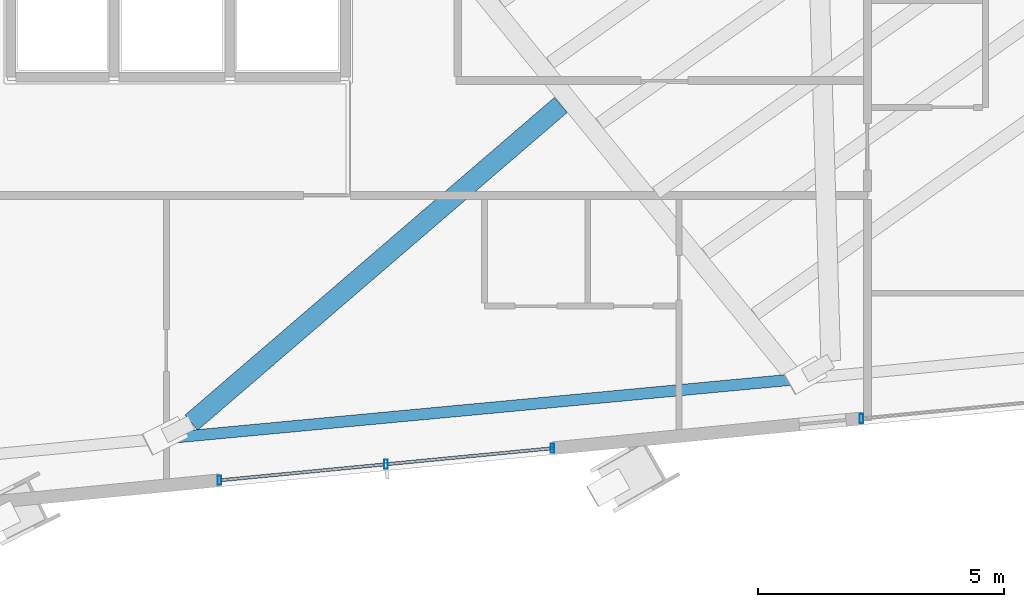
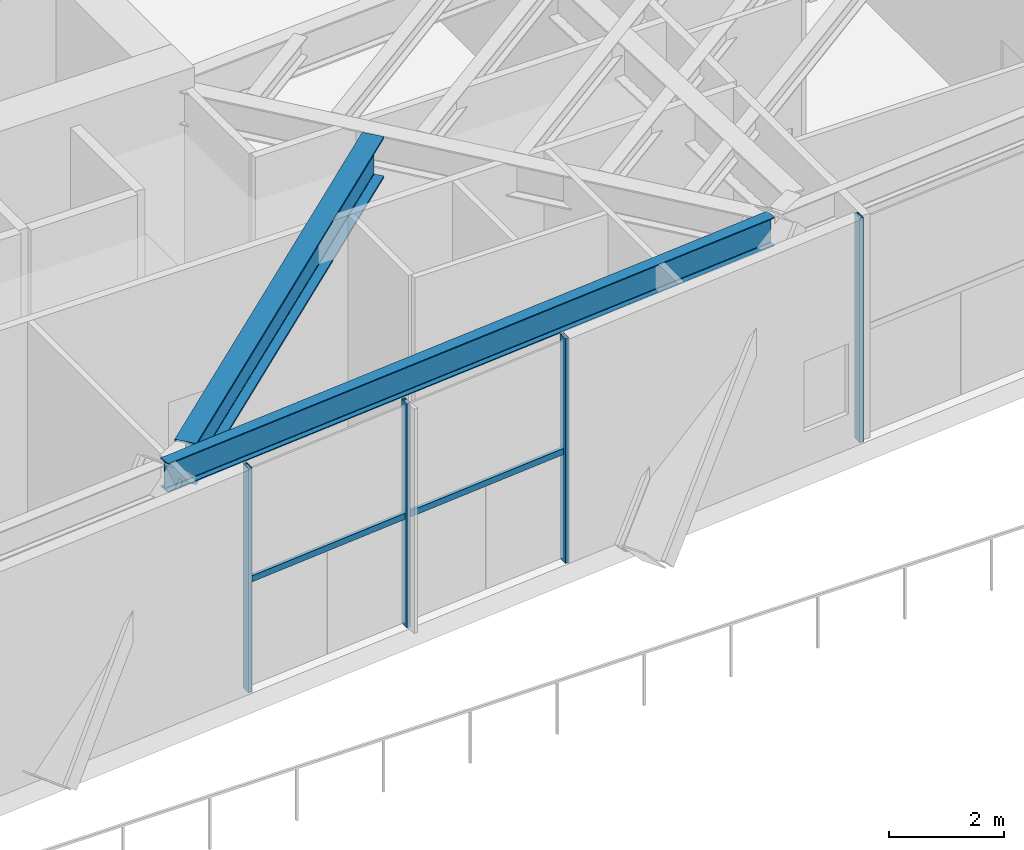
# One storey, part 9 of 28: 6 members, 2 beams, 2 elements without a shape of their own.
"""IFC4 building model written with IfcOpenShell, lengths in metres."""

from ifc_helpers import new_model, si_unit, direction, frame, origin, origin_2d, place, context, subcontext, project, spatial, hollow_rectangle, i_section, extrude, source, transform, mapped, material, material_profile, profile_set, type_object, type_shapes, element, aggregate, save


model = new_model("IFC4")

# Units and contexts
model_context = context("Model", 3, precision=1e-05, world=origin(), true_north=direction((0.0, 1.0)))
body_context = subcontext(model_context, "Body", "Model", "MODEL_VIEW")
ifc_project = project(units=[si_unit("LENGTHUNIT", "METRE"), si_unit("AREAUNIT", "SQUARE_METRE"), si_unit("VOLUMEUNIT", "CUBIC_METRE"), si_unit("PLANEANGLEUNIT", "RADIAN"), si_unit("MASSUNIT", "GRAM", prefix="KILO")], contexts=[model_context])

# Site, building, storey
site_placement = place(None, origin())
site = spatial("IfcSite", under=ifc_project, at=site_placement, CompositionType="ELEMENT")
building_placement = place(site_placement, origin())
building = spatial("IfcBuilding", under=site, at=building_placement, Name="Astriad Promenade Condominiums", CompositionType="ELEMENT")
storey_placement = place(building_placement, frame((0.0, 0.0, 72.60009765625)))
storey = spatial("IfcBuildingStorey", under=building, at=storey_placement, Name="L20", CompositionType="ELEMENT", Elevation=72.60009765625)

# Beams
ifc_material_1 = material(Name="Steel ASTM A992 Grade 50", Category="steel")
ifc_material_profile_1 = material_profile(ifc_material_1, i_section(OverallWidth=0.22900390625, OverallDepth=0.612060546875, WebThickness=0.011962890625, FlangeThickness=0.01953125, FilletRadius=0.017822265625, at=origin_2d()), Name="W24X84")
ifc_profile_set_1 = profile_set([ifc_material_profile_1], Name="Steel ASTM A992 Grade 50")
beam_type_1 = type_object("IfcBeamType", Name="STEEL SPANDREL BEAM W24X84", PredefinedType="SPANDREL", material=ifc_profile_set_1)
shared_shape_1 = source(origin(), body_context, "Body", "SweptSolid", [
    extrude(i_section(OverallWidth=0.22900390625, OverallDepth=0.612060546875, WebThickness=0.011962890625, FlangeThickness=0.01953125, FilletRadius=0.017822265625, at=origin_2d()), origin(), (0.0, 0.0, 1.0), 12.973388671875),
])
type_shapes(beam_type_1, [shared_shape_1])
beam_1_placement = place(storey_placement, frame((39.853271484375, 7.40771484375, 4.473876953125), z_axis=(0.995655405469, 0.093114518528, 0.0), x_axis=(-0.093114518528, 0.995655405469, 0.0)))
element("IfcBeam", 1, at=beam_1_placement, inside=storey, type_object=beam_type_1, Name="Perimeter Spandrel Beam SP-S3-L20", PredefinedType="SPANDREL", context=body_context, shape_type="MappedRepresentation", body=[
    mapped(shared_shape_1, transform((0.0, 0.0, 0.0), scale=1.0)),
])
ifc_material_profile_2 = material_profile(ifc_material_1, i_section(OverallWidth=0.4013671875, OverallDepth=0.877197265625, WebThickness=0.022216796875, FlangeThickness=0.039794921875, FilletRadius=0.02294921875, at=origin_2d()), Name="W33X263")
ifc_profile_set_2 = profile_set([ifc_material_profile_2], Name="Steel ASTM A992 Grade 50")
beam_type_2 = type_object("IfcBeamType", Name="STEEL TRANSFER CARRIER GIRDER W33X263", PredefinedType="BEAM", material=ifc_profile_set_2)
shared_shape_2 = source(origin(), body_context, "Body", "SweptSolid", [
    extrude(i_section(OverallWidth=0.4013671875, OverallDepth=0.877197265625, WebThickness=0.022216796875, FlangeThickness=0.039794921875, FilletRadius=0.02294921875, at=origin_2d()), origin(), (0.0, 0.0, 1.0), 9.899169921875),
])
type_shapes(beam_type_2, [shared_shape_2])
beam_2_placement = place(storey_placement, frame((47.972900390625, 14.185791015625, 4.34130859375), z_axis=(-0.758277363135, -0.651932082779, 0.0), x_axis=(0.651932082779, -0.758277363135, 0.0)))
element("IfcBeam", 2, at=beam_2_placement, inside=storey, type_object=beam_type_2, Name="Transfer Splice Carrier TRM-SP-PC03-L20", PredefinedType="BEAM", context=body_context, shape_type="MappedRepresentation", body=[
    mapped(shared_shape_2, transform((0.0, 0.0, 0.0), scale=1.0)),
])

# Curtain wall, member
ifc_material_2 = material(Name="Anodised aluminium Black Dark Glass Unitised", Category="aluminium")
curtain_wall_type = type_object("IfcCurtainWallType", Name="CW-B2-DARK", PredefinedType="USERDEFINED", material=ifc_material_2)
curtain_wall_1_placement = place(storey_placement, origin())
curtain_wall_1 = element("IfcCurtainWall", 3, at=curtain_wall_1_placement, inside=storey, type_object=curtain_wall_type, Name="CW-L20-S-1", ObjectType="UNITISED_CURTAIN_WALL", PredefinedType="USERDEFINED")
ifc_material_3 = material(Name="Anodised aluminium 6063-T6 Black", Category="aluminium")
ifc_material_profile_3 = material_profile(ifc_material_3, hollow_rectangle(XDim=0.074951171875, YDim=0.18505859375, WallThickness=0.00439453125, at=origin_2d()), Name="ALU-MUL-75X185")
ifc_profile_set_3 = profile_set([ifc_material_profile_3], Name="Anodised aluminium 6063-T6 Black")
member_type_1 = type_object("IfcMemberType", Name="MUL-ALU-MUL-75X185", PredefinedType="MULLION", material=ifc_profile_set_3)
shared_shape_3 = source(origin(), body_context, "Body", "SweptSolid", [
    extrude(hollow_rectangle(XDim=0.074951171875, YDim=0.18505859375, WallThickness=0.00439453125, at=origin_2d()), origin(), (0.0, 0.0, 1.0), 4.77978515625),
])
type_shapes(member_type_1, [shared_shape_3])
member_1_placement = place(storey_placement, frame((54.08154296875, 7.817138671875, 0.0), z_axis=(0.0, 0.0, 1.0), x_axis=(1.0, 0.0, 0.0)))
member_1 = element("IfcMember", 4, at=member_1_placement, type_object=member_type_1, Name="CW-L20-S-1-MUL-02", PredefinedType="MULLION", context=body_context, shape_type="MappedRepresentation", body=[
    mapped(shared_shape_3, transform((0.0, 0.0, 0.0), scale=1.0)),
])
aggregate(curtain_wall_1, [member_1])

# Curtain wall, members
curtain_wall_2_placement = place(storey_placement, origin())
curtain_wall_2 = element("IfcCurtainWall", 5, at=curtain_wall_2_placement, inside=storey, type_object=curtain_wall_type, Name="CW-L20-S-2", ObjectType="UNITISED_CURTAIN_WALL", PredefinedType="USERDEFINED")
member_2_placement = place(storey_placement, frame((47.800537109375, 7.21240234375, 0.0), z_axis=(0.0, 0.0, 1.0), x_axis=(1.0, 0.0, 0.0)))
member_2 = element("IfcMember", 6, at=member_2_placement, type_object=member_type_1, Name="CW-L20-S-2-MUL-00", PredefinedType="MULLION", context=body_context, shape_type="MappedRepresentation", body=[
    mapped(shared_shape_3, transform((0.0, 0.0, 0.0), scale=1.0)),
])
member_3_placement = place(storey_placement, frame((44.421142578125, 6.88720703125, 0.0), z_axis=(0.0, 0.0, 1.0), x_axis=(1.0, 0.0, 0.0)))
member_3 = element("IfcMember", 7, at=member_3_placement, type_object=member_type_1, Name="CW-L20-S-2-MUL-01", PredefinedType="MULLION", context=body_context, shape_type="MappedRepresentation", body=[
    mapped(shared_shape_3, transform((0.0, 0.0, 0.0), scale=1.0)),
])
member_4_placement = place(storey_placement, frame((41.041748046875, 6.561767578125, 0.0), z_axis=(0.0, 0.0, 1.0), x_axis=(1.0, 0.0, 0.0)))
member_4 = element("IfcMember", 8, at=member_4_placement, type_object=member_type_1, Name="CW-L20-S-2-MUL-02", PredefinedType="MULLION", context=body_context, shape_type="MappedRepresentation", body=[
    mapped(shared_shape_3, transform((0.0, 0.0, 0.0), scale=1.0)),
])
ifc_material_profile_4 = material_profile(ifc_material_3, hollow_rectangle(XDim=0.06494140625, YDim=0.1298828125, WallThickness=0.00390625, at=origin_2d()), Name="ALU-TRN-65X130")
ifc_profile_set_4 = profile_set([ifc_material_profile_4], Name="Anodised aluminium 6063-T6 Black")
member_type_2 = type_object("IfcMemberType", Name="TRN-ALU-TRN-65X130", PredefinedType="USERDEFINED", material=ifc_profile_set_4)
shared_shape_4 = source(origin(), body_context, "Body", "SweptSolid", [
    extrude(hollow_rectangle(XDim=0.06494140625, YDim=0.1298828125, WallThickness=0.00390625, at=origin_2d()), origin(), (0.0, 0.0, 1.0), 3.39501953125),
])
type_shapes(member_type_2, [shared_shape_4])
member_5_placement = place(storey_placement, frame((47.800537109375, 7.21240234375, 2.349853515625), z_axis=(-0.995401911597, -0.095786399816, 0.0), x_axis=(0.095786399816, -0.995401911597, 0.0)))
member_5 = element("IfcMember", 9, at=member_5_placement, type_object=member_type_2, Name="CW-L20-S-2-TRN-00-0", ObjectType="TRANSOM", PredefinedType="USERDEFINED", context=body_context, shape_type="MappedRepresentation", body=[
    mapped(shared_shape_4, transform((0.0, 0.0, 0.0), scale=1.0)),
])
member_6_placement = place(storey_placement, frame((44.421142578125, 6.88720703125, 2.349853515625), z_axis=(-0.995395052602, -0.095857650998, 0.0), x_axis=(0.095857650998, -0.995395052602, 0.0)))
member_6 = element("IfcMember", 10, at=member_6_placement, type_object=member_type_2, Name="CW-L20-S-2-TRN-01-0", ObjectType="TRANSOM", PredefinedType="USERDEFINED", context=body_context, shape_type="MappedRepresentation", body=[
    mapped(shared_shape_4, transform((0.0, 0.0, 0.0), scale=1.0)),
])
aggregate(curtain_wall_2, [member_2, member_3, member_4, member_5, member_6])

save(model, "model.ifc")
